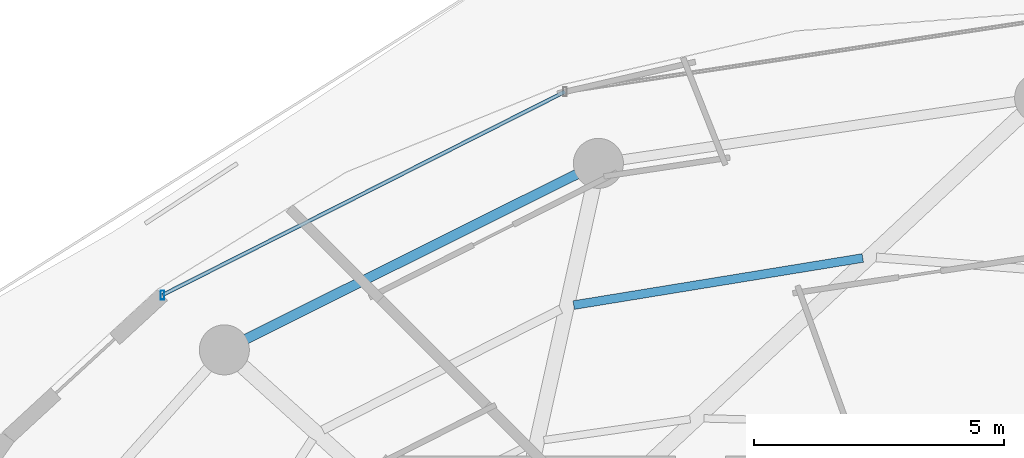
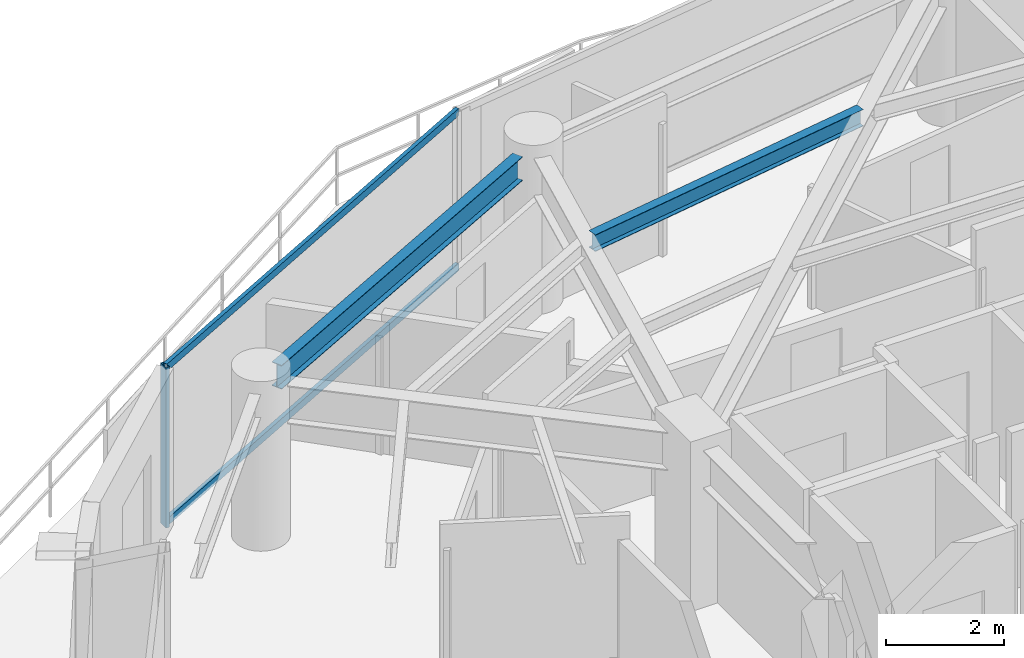
# One storey, part 17 of 31: 3 members, 2 beams, 1 element without a shape of its own.
"""IFC4 building model written with IfcOpenShell, lengths in metres."""

import ifcopenshell
import ifcopenshell.guid

model = None  # the IFC model being written
_history = None  # IfcOwnerHistory: only IFC2X3 demands one
_inside = {}  # id of a spatial element -> (the spatial element, [elements in it])
_under = {}  # id of a project, library or spatial element -> (it, [spatial elements below it])
_declared = {}  # id of a project -> (the project, [libraries it declares])
_typed = {}  # id of a type object -> (the type object, [elements of that type])
_made_of = {}  # id of a material, layer set ... -> (it, [elements and type objects made of it])


def new_model(schema):
    """Start an empty IFC model of exactly this schema.

    Asked for "IFC4X3", IfcOpenShell would pick the latest addendum, in which some entities
    have other attributes; the version numbers below select the first issue.
    IFC2X3 requires an IfcOwnerHistory on every rooted entity: one is made here for all.
    """
    global model, _history
    if schema == "IFC4X3":
        model = ifcopenshell.file(schema_version=(4, 3, 0, 0))
    else:
        model = ifcopenshell.file(schema=schema)
    _inside.clear()
    _under.clear()
    _declared.clear()
    _typed.clear()
    _made_of.clear()
    _history = None
    if model.schema == "IFC2X3":
        org = make("IfcOrganization", Name="unknown")
        user = make(
            "IfcPersonAndOrganization",
            ThePerson=make("IfcPerson", FamilyName="unknown"),
            TheOrganization=org,
        )
        app = make(
            "IfcApplication",
            ApplicationDeveloper=org,
            Version="unknown",
            ApplicationFullName="unknown",
            ApplicationIdentifier="unknown",
        )
        _history = make(
            "IfcOwnerHistory",
            OwningUser=user,
            OwningApplication=app,
            ChangeAction="ADDED",
            CreationDate=0,
        )
    return model


def make(cls, **values):
    """One entity of the class cls with the attributes given. An attribute that is None is left unset."""
    return model.create_entity(
        cls, **{name: value for name, value in values.items() if value is not None}
    )


def rooted(cls, **values):
    """An entity with a GlobalId (a new one), such as an element, a storey or a relation."""
    return make(cls, GlobalId=ifcopenshell.guid.new(), OwnerHistory=_history, **values)


def si_unit(unit_type, name, prefix=None):
    """IfcSIUnit, for example si_unit("LENGTHUNIT", "METRE", prefix="MILLI")."""
    return make("IfcSIUnit", UnitType=unit_type, Prefix=prefix, Name=name)


def assignment(units):
    """IfcUnitAssignment: the units of a project."""
    return None if units is None else make("IfcUnitAssignment", Units=units)


def point(xyz):
    """IfcCartesianPoint."""
    return None if xyz is None else make("IfcCartesianPoint", Coordinates=xyz)


def direction(xyz):
    """IfcDirection."""
    return None if xyz is None else make("IfcDirection", DirectionRatios=xyz)


def frame(location, z_axis=None, x_axis=None):
    """IfcAxis2Placement3D, a coordinate frame: its origin and axes. An axis left out is left unset."""
    return make(
        "IfcAxis2Placement3D",
        Location=point(location),
        Axis=direction(z_axis),
        RefDirection=direction(x_axis),
    )


def frame_2d(location, x_axis=None):
    """IfcAxis2Placement2D, a coordinate frame in the plane: its origin and x axis."""
    return make(
        "IfcAxis2Placement2D", Location=point(location), RefDirection=direction(x_axis)
    )


def origin():
    """The frame at (0, 0, 0) with its axes left unset."""
    return frame((0.0, 0.0, 0.0))


def origin_2d():
    """The frame at (0, 0) in the plane with its x axis left unset."""
    return frame_2d((0.0, 0.0))


def place(relative_to, where):
    """IfcLocalPlacement: puts the frame where relative to a parent placement (None: the world)."""
    return make(
        "IfcLocalPlacement", PlacementRelTo=relative_to, RelativePlacement=where
    )


def context(
    kind, dimensions, precision=None, world=None, true_north=None, identifier=None
):
    """IfcGeometricRepresentationContext, for example the 3D "Model" context."""
    return make(
        "IfcGeometricRepresentationContext",
        ContextIdentifier=identifier,
        ContextType=kind,
        CoordinateSpaceDimension=dimensions,
        Precision=precision,
        WorldCoordinateSystem=world,
        TrueNorth=true_north,
    )


def subcontext(parent, identifier, kind, view, scale=None):
    """IfcGeometricRepresentationSubContext, for example "Body" below "Model"."""
    return make(
        "IfcGeometricRepresentationSubContext",
        ContextIdentifier=identifier,
        ContextType=kind,
        ParentContext=parent,
        TargetScale=scale,
        TargetView=view,
    )


def project(units=None, contexts=None):
    """IfcProject with its units and contexts."""
    return rooted(
        "IfcProject",
        Name="project",
        RepresentationContexts=contexts,
        UnitsInContext=assignment(units),
    )


def spatial(cls, under=None, at=None, **own):
    """A site, building, storey or space (cls), placed at a placement, below another one or the project."""
    s = rooted(cls, ObjectPlacement=at, **own)
    if under is not None:
        _under.setdefault(under.id(), (under, []))[1].append(s)
    return s


def profile(cls, at=None, kind="AREA", **sizes):
    """A parametric profile (cls). Its sizes go by their IFC names, for example OverallWidth=200.0."""
    return make(cls, ProfileType=kind, Position=at, **sizes)


def hollow_rectangle(**sizes):
    """IfcRectangleHollowProfileDef."""
    return profile("IfcRectangleHollowProfileDef", **sizes)


def i_section(**sizes):
    """IfcIShapeProfileDef."""
    return profile("IfcIShapeProfileDef", **sizes)


def extrude(swept, where, along, depth):
    """IfcExtrudedAreaSolid: the profile swept, set in the frame where, extruded along a direction by depth."""
    return make(
        "IfcExtrudedAreaSolid",
        SweptArea=swept,
        Position=where,
        ExtrudedDirection=direction(along),
        Depth=depth,
    )


def shape(context_of_items, identifier, shape_type, items):
    """IfcShapeRepresentation: the items that make up one representation, for example the "Body"."""
    return make(
        "IfcShapeRepresentation",
        ContextOfItems=context_of_items,
        RepresentationIdentifier=identifier,
        RepresentationType=shape_type,
        Items=items,
    )


def material(Name=None, Category=None):
    """IfcMaterial."""
    return make("IfcMaterial", Name=Name, Category=Category)


def material_profile(
    of_material, cross_section, Name=None, Category=None, Priority=None
):
    """IfcMaterialProfile: a cross section and its material."""
    return make(
        "IfcMaterialProfile",
        Name=Name,
        Material=of_material,
        Profile=cross_section,
        Priority=Priority,
        Category=Category,
    )


def profile_set(profiles, Name=None, composite=None):
    """IfcMaterialProfileSet."""
    return make(
        "IfcMaterialProfileSet",
        Name=Name,
        MaterialProfiles=profiles,
        CompositeProfile=composite,
    )


def made_of(thing, what):
    """Note that an element or type object is made of a material, layer set ...; save() writes the relation."""
    if what is not None:
        _made_of.setdefault(what.id(), (what, []))[1].append(thing)
    return thing


def type_object(cls, material=None, **own):
    """A type object (cls), such as IfcWallType, which elements share."""
    return made_of(rooted(cls, **own), material)


def element(
    cls,
    number,
    at=None,
    inside=None,
    cuts=None,
    type_object=None,
    material=None,
    context=None,
    identifier="Body",
    shape_type=None,
    held_by="IfcProductDefinitionShape",
    body=None,
    shapes=None,
    **own,
):
    """One element of the class cls, such as IfcWall. Its Tag is "e" and its number.

    at: its placement. inside: the storey or other place that contains it. cuts: it is an
    opening in that element (IfcRelVoidsElement). A single representation is given by context,
    identifier, shape_type and body (its items); several are given by shapes. held_by: the class
    of the entity that holds the representations. save() writes the other relations.
    """
    e = rooted(cls, Tag="e%d" % number, ObjectPlacement=at, **own)
    if body is not None:
        shapes = [shape(context, identifier, shape_type, body)]
    if shapes is not None:
        e.Representation = make(held_by, Representations=shapes)
    if inside is not None:
        _inside.setdefault(inside.id(), (inside, []))[1].append(e)
    if cuts is not None:
        rooted(
            "IfcRelVoidsElement", RelatingBuildingElement=cuts, RelatedOpeningElement=e
        )
    if type_object is not None:
        _typed.setdefault(type_object.id(), (type_object, []))[1].append(e)
    return made_of(e, material)


def aggregate(whole, parts):
    """IfcRelAggregates: a whole, such as a stair, and the parts it consists of."""
    return rooted("IfcRelAggregates", RelatingObject=whole, RelatedObjects=parts)


def save(model, path):
    """Write the relations noted so far, then the file.

    IfcRelAggregates (storeys below a building ...), IfcRelContainedInSpatialStructure (elements
    in a storey), IfcRelDefinesByType, IfcRelAssociatesMaterial and IfcRelDeclares: one each for
    every whole, place, type object, material and project.
    """
    for whole, parts in _under.values():
        aggregate(whole, parts)
    for where, things in _inside.values():
        rooted(
            "IfcRelContainedInSpatialStructure",
            RelatedElements=things,
            RelatingStructure=where,
        )
    for kind, things in _typed.values():
        rooted("IfcRelDefinesByType", RelatedObjects=things, RelatingType=kind)
    for what, things in _made_of.values():
        rooted("IfcRelAssociatesMaterial", RelatedObjects=things, RelatingMaterial=what)
    for by, libraries in _declared.values():
        rooted("IfcRelDeclares", RelatingContext=by, RelatedDefinitions=libraries)
    model.write(path)


model = new_model("IFC4")

# Units and contexts
model_context = context("Model", 3, precision=1e-05, world=origin(), true_north=direction((0.0, 1.0)))
body_context = subcontext(model_context, "Body", "Model", "MODEL_VIEW")
ifc_project = project(units=[si_unit("LENGTHUNIT", "METRE"), si_unit("AREAUNIT", "SQUARE_METRE"), si_unit("VOLUMEUNIT", "CUBIC_METRE"), si_unit("PLANEANGLEUNIT", "RADIAN"), si_unit("MASSUNIT", "GRAM", prefix="KILO")], contexts=[model_context])

# Site, building, storey
site_placement = place(None, origin())
site = spatial("IfcSite", under=ifc_project, at=site_placement, CompositionType="ELEMENT")
building_placement = place(site_placement, origin())
building = spatial("IfcBuilding", under=site, at=building_placement, Name="Vorneva Point Tower", CompositionType="ELEMENT")
storey_placement = place(building_placement, frame((0.0, 0.0, 129.10009765625)))
storey = spatial("IfcBuildingStorey", under=building, at=storey_placement, Name="L34", CompositionType="ELEMENT", Elevation=129.10009765625)

# Beams
ifc_material_1 = material(Name="Steel S355", Category="steel")
ifc_material_profile_1 = material_profile(ifc_material_1, i_section(OverallWidth=0.174072265625, OverallDepth=0.345947265625, WebThickness=0.006103515625, FlangeThickness=0.009033203125, at=origin_2d()), Name="35B1")
ifc_profile_set_1 = profile_set([ifc_material_profile_1], Name="Steel S355")
beam_type_1 = type_object("IfcBeamType", Name="BM-SEC-35B1", PredefinedType="BEAM", material=ifc_profile_set_1)
beam_1_placement = place(storey_placement, frame((34.4638671875, 39.9990234375, 3.06689453125), z_axis=(-0.986970337588, -0.160902308004, 0.0), x_axis=(0.160902308004, -0.986970337588, 0.0)))
element("IfcBeam", 1, at=beam_1_placement, inside=storey, type_object=beam_type_1, Name="L34 Secondary Floor Beam 1.05", PredefinedType="BEAM", context=body_context, shape_type="SweptSolid", body=[
    extrude(i_section(OverallWidth=0.174072265625, OverallDepth=0.345947265625, WebThickness=0.006103515625, FlangeThickness=0.009033203125, at=origin_2d()), origin(), (0.0, 0.0, 1.0), 5.855224609375),
])
ifc_material_profile_2 = material_profile(ifc_material_1, i_section(OverallWidth=0.199951171875, OverallDepth=0.491943359375, WebThickness=0.0087890625, FlangeThickness=0.011962890625, at=origin_2d()), Name="50B1")
ifc_profile_set_2 = profile_set([ifc_material_profile_2], Name="Steel S355")
beam_type_2 = type_object("IfcBeamType", Name="BM-SPN-50B1", PredefinedType="SPANDREL", material=ifc_profile_set_2)
beam_2_placement = place(storey_placement, frame((28.7451171875, 41.67431640625, 2.993896484375), z_axis=(-0.894929061397, -0.446208443518, 0.0), x_axis=(0.446208443518, -0.894929061397, 0.0)))
element("IfcBeam", 2, at=beam_2_placement, inside=storey, type_object=beam_type_2, Name="L34 Perimeter Spandrel Ring Beam 06", PredefinedType="SPANDREL", context=body_context, shape_type="SweptSolid", body=[
    extrude(i_section(OverallWidth=0.199951171875, OverallDepth=0.491943359375, WebThickness=0.0087890625, FlangeThickness=0.011962890625, at=origin_2d()), origin(), (0.0, 0.0, 1.0), 7.385986328125),
])

# Curtain wall, members
ifc_material_2 = material(Name="Pale anodised aluminium", Category="aluminium")
curtain_wall_type = type_object("IfcCurtainWallType", Name="CW-RES-SYS", PredefinedType="NOTDEFINED", material=ifc_material_2)
curtain_wall_placement = place(storey_placement, origin())
curtain_wall = element("IfcCurtainWall", 3, at=curtain_wall_placement, inside=storey, type_object=curtain_wall_type, Name="L34 Unitised Curtain Wall CW-L34-R02", PredefinedType="NOTDEFINED")
ifc_material_profile_3 = material_profile(ifc_material_2, hollow_rectangle(XDim=0.074951171875, YDim=0.179931640625, WallThickness=0.00390625, at=origin_2d()), Name="AL-MUL 180x75x4")
ifc_profile_set_3 = profile_set([ifc_material_profile_3], Name="Pale anodised aluminium")
member_type_1 = type_object("IfcMemberType", Name="CW-MUL-180", PredefinedType="MULLION", material=ifc_profile_set_3)
member_1_placement = place(storey_placement, frame((20.4638671875, 39.25830078125, -0.0400390625), z_axis=(0.0, 0.0, 1.0), x_axis=(1.0, 0.0, 0.0)))
member_1 = element("IfcMember", 4, at=member_1_placement, type_object=member_type_1, Name="CW-L34-R02 Mullion 05", PredefinedType="MULLION", context=body_context, shape_type="SweptSolid", body=[
    extrude(hollow_rectangle(XDim=0.074951171875, YDim=0.179931640625, WallThickness=0.00390625, at=origin_2d()), origin(), (0.0, 0.0, 1.0), 3.31005859375),
])
ifc_material_profile_4 = material_profile(ifc_material_2, hollow_rectangle(XDim=0.074951171875, YDim=0.14990234375, WallThickness=0.00390625, at=origin_2d()), Name="AL-TRN 150x75x4")
ifc_profile_set_4 = profile_set([ifc_material_profile_4], Name="Pale anodised aluminium")
member_type_2 = type_object("IfcMemberType", Name="CW-TRN-150", PredefinedType="USERDEFINED", material=ifc_profile_set_4)
member_2_placement = place(storey_placement, frame((28.509521484375, 43.32275390625, 0.02001953125), z_axis=(-0.892572392955, -0.450904117673, 0.0), x_axis=(0.450904117673, -0.892572392955, 0.0)))
member_2 = element("IfcMember", 5, at=member_2_placement, type_object=member_type_2, Name="CW-L34-R02 Transom 04.1", ObjectType="TRANSOM", PredefinedType="USERDEFINED", context=body_context, shape_type="SweptSolid", body=[
    extrude(hollow_rectangle(XDim=0.074951171875, YDim=0.14990234375, WallThickness=0.00390625, at=origin_2d()), origin(), (0.0, 0.0, 1.0), 9.013916015625),
])
member_3_placement = place(storey_placement, frame((28.509521484375, 43.32275390625, 3.219970703125), z_axis=(-0.892572392955, -0.450904117673, 0.0), x_axis=(0.450904117673, -0.892572392955, 0.0)))
member_3 = element("IfcMember", 6, at=member_3_placement, type_object=member_type_2, Name="CW-L34-R02 Transom 04.2", ObjectType="TRANSOM", PredefinedType="USERDEFINED", context=body_context, shape_type="SweptSolid", body=[
    extrude(hollow_rectangle(XDim=0.074951171875, YDim=0.14990234375, WallThickness=0.00390625, at=origin_2d()), origin(), (0.0, 0.0, 1.0), 9.013916015625),
])
aggregate(curtain_wall, [member_1, member_2, member_3])

save(model, "model.ifc")
